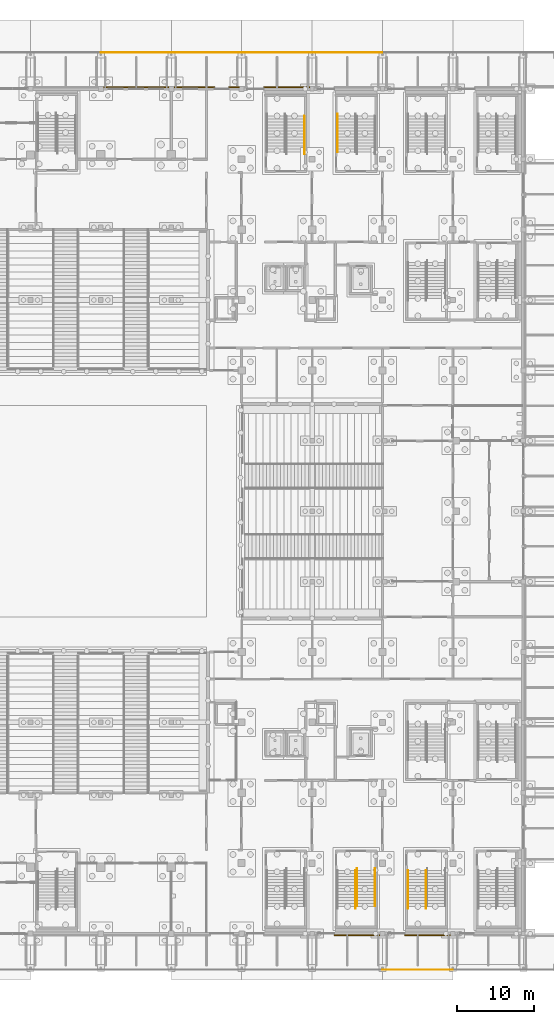
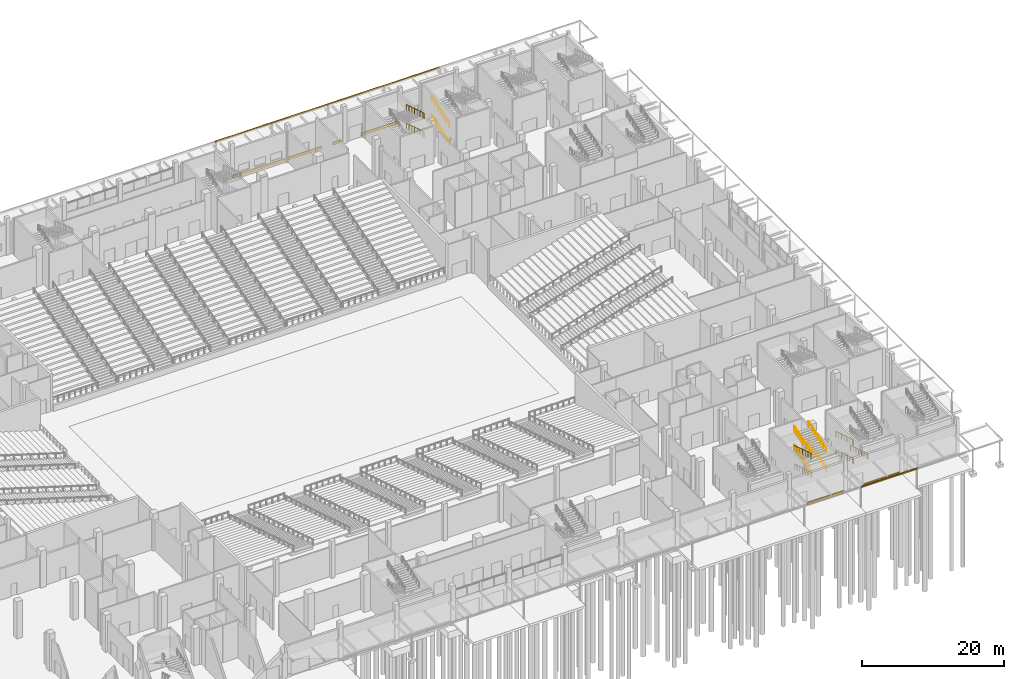
# One storey, part 116 of 129: 13 railings, 11 coverings.
"""IFC4 building model written with IfcOpenShell, lengths in metres."""

from ifc_helpers import new_model, si_unit, direction, frame, origin, origin_2d, place, context, subcontext, project, spatial, rectangle, circle, extrude, material, layer, layer_set, type_object, element, save


model = new_model("IFC4")

# Units and contexts
model_context = context("Model", 3, precision=1e-05, world=origin(), true_north=direction((0.0, 1.0)))
body_context = subcontext(model_context, "Body", "Model", "MODEL_VIEW")
ifc_project = project(units=[si_unit("LENGTHUNIT", "METRE"), si_unit("AREAUNIT", "SQUARE_METRE"), si_unit("VOLUMEUNIT", "CUBIC_METRE"), si_unit("PLANEANGLEUNIT", "RADIAN"), si_unit("MASSUNIT", "GRAM", prefix="KILO")], contexts=[model_context])

# Site, building, storey
site_placement = place(None, origin())
site = spatial("IfcSite", under=ifc_project, at=site_placement, CompositionType="ELEMENT")
building_placement = place(site_placement, origin())
building = spatial("IfcBuilding", under=site, at=building_placement, Name="Shirokan Park Arena", CompositionType="ELEMENT")
storey_placement = place(building_placement, origin())
storey = spatial("IfcBuildingStorey", under=building, at=storey_placement, Name="L00", CompositionType="ELEMENT", Elevation=0.0)

# Coverings
ifc_material_1 = material(Name="Timber fascia (cedar)", Category="wood")
ifc_layer_1 = layer(ifc_material_1, 0.050048828125)
ifc_layer_set_1 = layer_set([ifc_layer_1], Name="Timber fascia (cedar) 50 mm")
covering_type_1 = type_object("IfcCoveringType", Name="Canopy fascia 50x250", PredefinedType="CLADDING", material=ifc_layer_set_1)
for number, where, z_axis, x_axis, name in (
    (1, (122.85009765625, 113.875, 3.5), (0.0, 0.0, 1.0), (-1.0, 0.0, 0.0), "Canopy fascia north bay 3"),
    (2, (113.75, 113.875, 3.5), (0.0, 0.0, 1.0), (-1.0, 0.0, 0.0), "Canopy fascia north bay 4"),
    (3, (104.64990234375, 113.875, 3.5), (0.0, 0.0, 1.0), (-1.0, 0.0, 0.0), "Canopy fascia north bay 5"),
    (4, (95.550048828125, 113.875, 3.5), (0.0, 0.0, 1.0), (-1.0, 0.0, 0.0), "Canopy fascia north bay 6"),
    (5, (131.949951171875, -4.675048828125, 3.5), (0.0, 0.0, 1.0), (1.0, 0.0, 0.0), "Canopy fascia south bay 15"),
):
    element("IfcCovering", number, at=place(storey_placement, frame(where, z_axis=z_axis, x_axis=x_axis)), inside=storey, type_object=covering_type_1, Name=name, PredefinedType="CLADDING", context=body_context, shape_type="SweptSolid", body=[
        extrude(rectangle(XDim=9.10009765625, YDim=0.050048828125, at=origin_2d()), origin(), (0.0, 0.0, 1.0), 0.25),
    ])

# Railings
ifc_material_2 = material(Name="Stainless steel", Category="steel")
railing_type = type_object("IfcRailingType", Name="Stair handrail 900", PredefinedType="HANDRAIL", material=ifc_material_2)
railing_1_placement = place(storey_placement, frame((130.68994140625, 8.14990234375, 0.12255859375)))
element("IfcRailing", 6, at=railing_1_placement, inside=storey, type_object=railing_type, Name="Handrail Exit Stair 2.B L00 to L01", PredefinedType="HANDRAIL", context=body_context, shape_type="SweptSolid", body=[
    extrude(circle(Radius=0.02392578125, at=origin_2d()), frame((0.0, 0.0, 0.8759765625), z_axis=(0.0, -0.952915858112, 0.303234838629), x_axis=(1.0, 0.0, 0.0)), (0.0, 0.0, 1.0), 1.615966796875),
    extrude(circle(Radius=0.02392578125, at=origin_2d()), frame((0.0, -1.539794921875, 1.36572265625), z_axis=(0.0, -0.952929747917, 0.303191186441), x_axis=(1.0, 0.0, 0.0)), (0.0, 0.0, 1.0), 1.6162109375),
    extrude(circle(Radius=0.02392578125, at=origin_2d()), frame((0.0, -3.079833984375, 1.85595703125), z_axis=(0.0, -0.952929747917, 0.303191186441), x_axis=(1.0, 0.0, 0.0)), (0.0, 0.0, 1.0), 1.6162109375),
    extrude(circle(Radius=0.02392578125, at=origin_2d()), frame((0.0, -4.619873046875, 2.345703125), z_axis=(0.0, -1.0, 0.0), x_axis=(1.0, 0.0, 0.0)), (0.0, 0.0, 1.0), 0.300048828125),
    extrude(circle(Radius=0.02099609375, at=origin_2d()), origin(), (0.0, 0.0, 1.0), 0.851806640625),
    extrude(circle(Radius=0.02099609375, at=origin_2d()), frame((0.0, -0.77001953125, 0.2451171875)), (0.0, 0.0, 1.0), 0.851806640625),
    extrude(circle(Radius=0.02099609375, at=origin_2d()), frame((0.0, -1.539794921875, 0.489990234375)), (0.0, 0.0, 1.0), 0.851806640625),
    extrude(circle(Radius=0.02099609375, at=origin_2d()), frame((0.0, -2.309814453125, 0.73486328125)), (0.0, 0.0, 1.0), 0.851806640625),
    extrude(circle(Radius=0.02099609375, at=origin_2d()), frame((0.0, -3.079833984375, 0.97998046875)), (0.0, 0.0, 1.0), 0.851806640625),
    extrude(circle(Radius=0.02099609375, at=origin_2d()), frame((0.0, -3.849853515625, 1.22509765625)), (0.0, 0.0, 1.0), 0.851806640625),
    extrude(circle(Radius=0.02099609375, at=origin_2d()), frame((0.0, -4.619873046875, 1.469970703125)), (0.0, 0.0, 1.0), 0.851806640625),
    extrude(circle(Radius=0.02099609375, at=origin_2d()), frame((0.0, -4.919921875, 1.469970703125)), (0.0, 0.0, 1.0), 0.851806640625),
])
railing_2_placement = place(storey_placement, frame((133.010009765625, 8.14990234375, 0.12255859375)))
element("IfcRailing", 7, at=railing_2_placement, inside=storey, type_object=railing_type, Name="Handrail Exit Stair 2.B L00 to L01", PredefinedType="HANDRAIL", context=body_context, shape_type="SweptSolid", body=[
    extrude(circle(Radius=0.02392578125, at=origin_2d()), frame((0.0, 0.0, 0.8759765625), z_axis=(0.0, -0.952915858112, 0.303234838629), x_axis=(1.0, 0.0, 0.0)), (0.0, 0.0, 1.0), 1.615966796875),
    extrude(circle(Radius=0.02392578125, at=origin_2d()), frame((0.0, -1.539794921875, 1.36572265625), z_axis=(0.0, -0.952929747917, 0.303191186441), x_axis=(1.0, 0.0, 0.0)), (0.0, 0.0, 1.0), 1.6162109375),
    extrude(circle(Radius=0.02392578125, at=origin_2d()), frame((0.0, -3.079833984375, 1.85595703125), z_axis=(0.0, -0.952929747917, 0.303191186441), x_axis=(1.0, 0.0, 0.0)), (0.0, 0.0, 1.0), 1.6162109375),
    extrude(circle(Radius=0.02392578125, at=origin_2d()), frame((0.0, -4.619873046875, 2.345703125), z_axis=(0.0, -1.0, 0.0), x_axis=(1.0, 0.0, 0.0)), (0.0, 0.0, 1.0), 0.300048828125),
    extrude(circle(Radius=0.02099609375, at=origin_2d()), origin(), (0.0, 0.0, 1.0), 0.851806640625),
    extrude(circle(Radius=0.02099609375, at=origin_2d()), frame((0.0, -0.77001953125, 0.2451171875)), (0.0, 0.0, 1.0), 0.851806640625),
    extrude(circle(Radius=0.02099609375, at=origin_2d()), frame((0.0, -1.539794921875, 0.489990234375)), (0.0, 0.0, 1.0), 0.851806640625),
    extrude(circle(Radius=0.02099609375, at=origin_2d()), frame((0.0, -2.309814453125, 0.73486328125)), (0.0, 0.0, 1.0), 0.851806640625),
    extrude(circle(Radius=0.02099609375, at=origin_2d()), frame((0.0, -3.079833984375, 0.97998046875)), (0.0, 0.0, 1.0), 0.851806640625),
    extrude(circle(Radius=0.02099609375, at=origin_2d()), frame((0.0, -3.849853515625, 1.22509765625)), (0.0, 0.0, 1.0), 0.851806640625),
    extrude(circle(Radius=0.02099609375, at=origin_2d()), frame((0.0, -4.619873046875, 1.469970703125)), (0.0, 0.0, 1.0), 0.851806640625),
    extrude(circle(Radius=0.02099609375, at=origin_2d()), frame((0.0, -4.919921875, 1.469970703125)), (0.0, 0.0, 1.0), 0.851806640625),
])
railing_3_placement = place(storey_placement, frame((130.68994140625, 8.14990234375, 3.3076171875)))
element("IfcRailing", 8, at=railing_3_placement, inside=storey, type_object=railing_type, Name="Handrail Exit Stair 2.B L00 to L01", PredefinedType="HANDRAIL", context=body_context, shape_type="SweptSolid", body=[
    extrude(circle(Radius=0.02392578125, at=origin_2d()), frame((0.0, 0.0, 0.8759765625), z_axis=(0.0, -0.952915858112, 0.303234838629), x_axis=(1.0, 0.0, 0.0)), (0.0, 0.0, 1.0), 1.615966796875),
    extrude(circle(Radius=0.02392578125, at=origin_2d()), frame((0.0, -1.539794921875, 1.36572265625), z_axis=(0.0, -0.952929747917, 0.303191186441), x_axis=(1.0, 0.0, 0.0)), (0.0, 0.0, 1.0), 1.6162109375),
    extrude(circle(Radius=0.02392578125, at=origin_2d()), frame((0.0, -3.079833984375, 1.85595703125), z_axis=(0.0, -0.952929747917, 0.303191186441), x_axis=(1.0, 0.0, 0.0)), (0.0, 0.0, 1.0), 1.6162109375),
    extrude(circle(Radius=0.02392578125, at=origin_2d()), frame((0.0, -4.619873046875, 2.345703125), z_axis=(0.0, -1.0, 0.0), x_axis=(1.0, 0.0, 0.0)), (0.0, 0.0, 1.0), 0.300048828125),
    extrude(circle(Radius=0.02099609375, at=origin_2d()), origin(), (0.0, 0.0, 1.0), 0.851806640625),
    extrude(circle(Radius=0.02099609375, at=origin_2d()), frame((0.0, -0.77001953125, 0.2451171875)), (0.0, 0.0, 1.0), 0.851806640625),
    extrude(circle(Radius=0.02099609375, at=origin_2d()), frame((0.0, -1.539794921875, 0.489990234375)), (0.0, 0.0, 1.0), 0.851806640625),
    extrude(circle(Radius=0.02099609375, at=origin_2d()), frame((0.0, -2.309814453125, 0.73486328125)), (0.0, 0.0, 1.0), 0.851806640625),
    extrude(circle(Radius=0.02099609375, at=origin_2d()), frame((0.0, -3.079833984375, 0.97998046875)), (0.0, 0.0, 1.0), 0.851806640625),
    extrude(circle(Radius=0.02099609375, at=origin_2d()), frame((0.0, -3.849853515625, 1.22509765625)), (0.0, 0.0, 1.0), 0.851806640625),
    extrude(circle(Radius=0.02099609375, at=origin_2d()), frame((0.0, -4.619873046875, 1.469970703125)), (0.0, 0.0, 1.0), 0.851806640625),
    extrude(circle(Radius=0.02099609375, at=origin_2d()), frame((0.0, -4.919921875, 1.469970703125)), (0.0, 0.0, 1.0), 0.851806640625),
])
railing_4_placement = place(storey_placement, frame((123.909912109375, 8.14990234375, 0.12255859375)))
element("IfcRailing", 9, at=railing_4_placement, inside=storey, type_object=railing_type, Name="Handrail Exit Stair 2.C L00 to L01", PredefinedType="HANDRAIL", context=body_context, shape_type="SweptSolid", body=[
    extrude(circle(Radius=0.02392578125, at=origin_2d()), frame((0.0, 0.0, 0.8759765625), z_axis=(0.0, -0.952915858112, 0.303234838629), x_axis=(1.0, 0.0, 0.0)), (0.0, 0.0, 1.0), 1.615966796875),
    extrude(circle(Radius=0.02392578125, at=origin_2d()), frame((0.0, -1.539794921875, 1.36572265625), z_axis=(0.0, -0.952929747917, 0.303191186441), x_axis=(1.0, 0.0, 0.0)), (0.0, 0.0, 1.0), 1.6162109375),
    extrude(circle(Radius=0.02392578125, at=origin_2d()), frame((0.0, -3.079833984375, 1.85595703125), z_axis=(0.0, -0.952929747917, 0.303191186441), x_axis=(1.0, 0.0, 0.0)), (0.0, 0.0, 1.0), 1.6162109375),
    extrude(circle(Radius=0.02392578125, at=origin_2d()), frame((0.0, -4.619873046875, 2.345703125), z_axis=(0.0, -1.0, 0.0), x_axis=(1.0, 0.0, 0.0)), (0.0, 0.0, 1.0), 0.300048828125),
    extrude(circle(Radius=0.02099609375, at=origin_2d()), origin(), (0.0, 0.0, 1.0), 0.851806640625),
    extrude(circle(Radius=0.02099609375, at=origin_2d()), frame((0.0, -0.77001953125, 0.2451171875)), (0.0, 0.0, 1.0), 0.851806640625),
    extrude(circle(Radius=0.02099609375, at=origin_2d()), frame((0.0, -1.539794921875, 0.489990234375)), (0.0, 0.0, 1.0), 0.851806640625),
    extrude(circle(Radius=0.02099609375, at=origin_2d()), frame((0.0, -2.309814453125, 0.73486328125)), (0.0, 0.0, 1.0), 0.851806640625),
    extrude(circle(Radius=0.02099609375, at=origin_2d()), frame((0.0, -3.079833984375, 0.97998046875)), (0.0, 0.0, 1.0), 0.851806640625),
    extrude(circle(Radius=0.02099609375, at=origin_2d()), frame((0.0, -3.849853515625, 1.22509765625)), (0.0, 0.0, 1.0), 0.851806640625),
    extrude(circle(Radius=0.02099609375, at=origin_2d()), frame((0.0, -4.619873046875, 1.469970703125)), (0.0, 0.0, 1.0), 0.851806640625),
    extrude(circle(Radius=0.02099609375, at=origin_2d()), frame((0.0, -4.919921875, 1.469970703125)), (0.0, 0.0, 1.0), 0.851806640625),
])
railing_5_placement = place(storey_placement, frame((124.090087890625, 3.530029296875, 1.715087890625)))
element("IfcRailing", 10, at=railing_5_placement, inside=storey, type_object=railing_type, Name="Handrail Exit Stair 2.C L00 to L01", PredefinedType="HANDRAIL", context=body_context, shape_type="SweptSolid", body=[
    extrude(circle(Radius=0.02392578125, at=origin_2d()), frame((0.0, 0.0, 0.8759765625), z_axis=(0.0, 0.952929747917, 0.303191186441), x_axis=(-1.0, 0.0, 0.0)), (0.0, 0.0, 1.0), 1.6162109375),
    extrude(circle(Radius=0.02392578125, at=origin_2d()), frame((0.0, 1.5400390625, 1.36572265625), z_axis=(0.0, 0.952929747917, 0.303191186441), x_axis=(-1.0, 0.0, 0.0)), (0.0, 0.0, 1.0), 1.6162109375),
    extrude(circle(Radius=0.02392578125, at=origin_2d()), frame((0.0, 3.080078125, 1.85595703125), z_axis=(0.0, 0.952915858112, 0.303234838629), x_axis=(-1.0, 0.0, 0.0)), (0.0, 0.0, 1.0), 1.615966796875),
    extrude(circle(Radius=0.02392578125, at=origin_2d()), frame((0.0, 4.619873046875, 2.345703125), z_axis=(0.0, 1.0, 0.0), x_axis=(-1.0, 0.0, 0.0)), (0.0, 0.0, 1.0), 0.300048828125),
    extrude(circle(Radius=0.02099609375, at=origin_2d()), origin(), (0.0, 0.0, 1.0), 0.851806640625),
    extrude(circle(Radius=0.02099609375, at=origin_2d()), frame((0.0, 0.77001953125, 0.2451171875)), (0.0, 0.0, 1.0), 0.851806640625),
    extrude(circle(Radius=0.02099609375, at=origin_2d()), frame((0.0, 1.5400390625, 0.489990234375)), (0.0, 0.0, 1.0), 0.851806640625),
    extrude(circle(Radius=0.02099609375, at=origin_2d()), frame((0.0, 2.31005859375, 0.73486328125)), (0.0, 0.0, 1.0), 0.851806640625),
    extrude(circle(Radius=0.02099609375, at=origin_2d()), frame((0.0, 3.080078125, 0.97998046875)), (0.0, 0.0, 1.0), 0.851806640625),
    extrude(circle(Radius=0.02099609375, at=origin_2d()), frame((0.0, 3.85009765625, 1.22509765625)), (0.0, 0.0, 1.0), 0.851806640625),
    extrude(circle(Radius=0.02099609375, at=origin_2d()), frame((0.0, 4.619873046875, 1.469970703125)), (0.0, 0.0, 1.0), 0.851806640625),
    extrude(circle(Radius=0.02099609375, at=origin_2d()), frame((0.0, 4.919921875, 1.469970703125)), (0.0, 0.0, 1.0), 0.851806640625),
])
railing_6_placement = place(storey_placement, frame((126.409912109375, 3.530029296875, 1.715087890625)))
element("IfcRailing", 11, at=railing_6_placement, inside=storey, type_object=railing_type, Name="Handrail Exit Stair 2.C L00 to L01", PredefinedType="HANDRAIL", context=body_context, shape_type="SweptSolid", body=[
    extrude(circle(Radius=0.02392578125, at=origin_2d()), frame((0.0, 0.0, 0.8759765625), z_axis=(0.0, 0.952929747917, 0.303191186441), x_axis=(-1.0, 0.0, 0.0)), (0.0, 0.0, 1.0), 1.6162109375),
    extrude(circle(Radius=0.02392578125, at=origin_2d()), frame((0.0, 1.5400390625, 1.36572265625), z_axis=(0.0, 0.952929747917, 0.303191186441), x_axis=(-1.0, 0.0, 0.0)), (0.0, 0.0, 1.0), 1.6162109375),
    extrude(circle(Radius=0.02392578125, at=origin_2d()), frame((0.0, 3.080078125, 1.85595703125), z_axis=(0.0, 0.952915858112, 0.303234838629), x_axis=(-1.0, 0.0, 0.0)), (0.0, 0.0, 1.0), 1.615966796875),
    extrude(circle(Radius=0.02392578125, at=origin_2d()), frame((0.0, 4.619873046875, 2.345703125), z_axis=(0.0, 1.0, 0.0), x_axis=(-1.0, 0.0, 0.0)), (0.0, 0.0, 1.0), 0.300048828125),
    extrude(circle(Radius=0.02099609375, at=origin_2d()), origin(), (0.0, 0.0, 1.0), 0.851806640625),
    extrude(circle(Radius=0.02099609375, at=origin_2d()), frame((0.0, 0.77001953125, 0.2451171875)), (0.0, 0.0, 1.0), 0.851806640625),
    extrude(circle(Radius=0.02099609375, at=origin_2d()), frame((0.0, 1.5400390625, 0.489990234375)), (0.0, 0.0, 1.0), 0.851806640625),
    extrude(circle(Radius=0.02099609375, at=origin_2d()), frame((0.0, 2.31005859375, 0.73486328125)), (0.0, 0.0, 1.0), 0.851806640625),
    extrude(circle(Radius=0.02099609375, at=origin_2d()), frame((0.0, 3.080078125, 0.97998046875)), (0.0, 0.0, 1.0), 0.851806640625),
    extrude(circle(Radius=0.02099609375, at=origin_2d()), frame((0.0, 3.85009765625, 1.22509765625)), (0.0, 0.0, 1.0), 0.851806640625),
    extrude(circle(Radius=0.02099609375, at=origin_2d()), frame((0.0, 4.619873046875, 1.469970703125)), (0.0, 0.0, 1.0), 0.851806640625),
    extrude(circle(Radius=0.02099609375, at=origin_2d()), frame((0.0, 4.919921875, 1.469970703125)), (0.0, 0.0, 1.0), 0.851806640625),
])
railing_7_placement = place(storey_placement, frame((123.909912109375, 8.14990234375, 3.3076171875)))
element("IfcRailing", 12, at=railing_7_placement, inside=storey, type_object=railing_type, Name="Handrail Exit Stair 2.C L00 to L01", PredefinedType="HANDRAIL", context=body_context, shape_type="SweptSolid", body=[
    extrude(circle(Radius=0.02392578125, at=origin_2d()), frame((0.0, 0.0, 0.8759765625), z_axis=(0.0, -0.952915858112, 0.303234838629), x_axis=(1.0, 0.0, 0.0)), (0.0, 0.0, 1.0), 1.615966796875),
    extrude(circle(Radius=0.02392578125, at=origin_2d()), frame((0.0, -1.539794921875, 1.36572265625), z_axis=(0.0, -0.952929747917, 0.303191186441), x_axis=(1.0, 0.0, 0.0)), (0.0, 0.0, 1.0), 1.6162109375),
    extrude(circle(Radius=0.02392578125, at=origin_2d()), frame((0.0, -3.079833984375, 1.85595703125), z_axis=(0.0, -0.952929747917, 0.303191186441), x_axis=(1.0, 0.0, 0.0)), (0.0, 0.0, 1.0), 1.6162109375),
    extrude(circle(Radius=0.02392578125, at=origin_2d()), frame((0.0, -4.619873046875, 2.345703125), z_axis=(0.0, -1.0, 0.0), x_axis=(1.0, 0.0, 0.0)), (0.0, 0.0, 1.0), 0.300048828125),
    extrude(circle(Radius=0.02099609375, at=origin_2d()), origin(), (0.0, 0.0, 1.0), 0.851806640625),
    extrude(circle(Radius=0.02099609375, at=origin_2d()), frame((0.0, -0.77001953125, 0.2451171875)), (0.0, 0.0, 1.0), 0.851806640625),
    extrude(circle(Radius=0.02099609375, at=origin_2d()), frame((0.0, -1.539794921875, 0.489990234375)), (0.0, 0.0, 1.0), 0.851806640625),
    extrude(circle(Radius=0.02099609375, at=origin_2d()), frame((0.0, -2.309814453125, 0.73486328125)), (0.0, 0.0, 1.0), 0.851806640625),
    extrude(circle(Radius=0.02099609375, at=origin_2d()), frame((0.0, -3.079833984375, 0.97998046875)), (0.0, 0.0, 1.0), 0.851806640625),
    extrude(circle(Radius=0.02099609375, at=origin_2d()), frame((0.0, -3.849853515625, 1.22509765625)), (0.0, 0.0, 1.0), 0.851806640625),
    extrude(circle(Radius=0.02099609375, at=origin_2d()), frame((0.0, -4.619873046875, 1.469970703125)), (0.0, 0.0, 1.0), 0.851806640625),
    extrude(circle(Radius=0.02099609375, at=origin_2d()), frame((0.0, -4.919921875, 1.469970703125)), (0.0, 0.0, 1.0), 0.851806640625),
])
railing_8_placement = place(storey_placement, frame((124.090087890625, 3.530029296875, 4.89990234375)))
element("IfcRailing", 13, at=railing_8_placement, inside=storey, type_object=railing_type, Name="Handrail Exit Stair 2.C L00 to L01", PredefinedType="HANDRAIL", context=body_context, shape_type="SweptSolid", body=[
    extrude(circle(Radius=0.02392578125, at=origin_2d()), frame((0.0, 0.0, 0.8759765625), z_axis=(0.0, 0.952929747917, 0.303191186441), x_axis=(-1.0, 0.0, 0.0)), (0.0, 0.0, 1.0), 1.6162109375),
    extrude(circle(Radius=0.02392578125, at=origin_2d()), frame((0.0, 1.5400390625, 1.36572265625), z_axis=(0.0, 0.952929747917, 0.303191186441), x_axis=(-1.0, 0.0, 0.0)), (0.0, 0.0, 1.0), 1.6162109375),
    extrude(circle(Radius=0.02392578125, at=origin_2d()), frame((0.0, 3.080078125, 1.85595703125), z_axis=(0.0, 0.952872192083, 0.303372025004), x_axis=(-1.0, 0.0, 0.0)), (0.0, 0.0, 1.0), 1.615966796875),
    extrude(circle(Radius=0.02392578125, at=origin_2d()), frame((0.0, 4.619873046875, 2.34619140625), z_axis=(0.0, 1.0, 0.0), x_axis=(-1.0, 0.0, 0.0)), (0.0, 0.0, 1.0), 0.300048828125),
    extrude(circle(Radius=0.02099609375, at=origin_2d()), origin(), (0.0, 0.0, 1.0), 0.851806640625),
    extrude(circle(Radius=0.02099609375, at=origin_2d()), frame((0.0, 0.77001953125, 0.2451171875)), (0.0, 0.0, 1.0), 0.851806640625),
    extrude(circle(Radius=0.02099609375, at=origin_2d()), frame((0.0, 1.5400390625, 0.489990234375)), (0.0, 0.0, 1.0), 0.851806640625),
    extrude(circle(Radius=0.02099609375, at=origin_2d()), frame((0.0, 2.31005859375, 0.73486328125)), (0.0, 0.0, 1.0), 0.851806640625),
    extrude(circle(Radius=0.02099609375, at=origin_2d()), frame((0.0, 3.080078125, 0.97998046875)), (0.0, 0.0, 1.0), 0.851806640625),
    extrude(circle(Radius=0.02099609375, at=origin_2d()), frame((0.0, 3.85009765625, 1.22509765625)), (0.0, 0.0, 1.0), 0.851806640625),
    extrude(circle(Radius=0.02099609375, at=origin_2d()), frame((0.0, 4.619873046875, 1.47021484375)), (0.0, 0.0, 1.0), 0.851806640625),
    extrude(circle(Radius=0.02099609375, at=origin_2d()), frame((0.0, 4.919921875, 1.47021484375)), (0.0, 0.0, 1.0), 0.851806640625),
])
railing_9_placement = place(storey_placement, frame((126.409912109375, 3.530029296875, 4.89990234375)))
element("IfcRailing", 14, at=railing_9_placement, inside=storey, type_object=railing_type, Name="Handrail Exit Stair 2.C L00 to L01", PredefinedType="HANDRAIL", context=body_context, shape_type="SweptSolid", body=[
    extrude(circle(Radius=0.02392578125, at=origin_2d()), frame((0.0, 0.0, 0.8759765625), z_axis=(0.0, 0.952929747917, 0.303191186441), x_axis=(-1.0, 0.0, 0.0)), (0.0, 0.0, 1.0), 1.6162109375),
    extrude(circle(Radius=0.02392578125, at=origin_2d()), frame((0.0, 1.5400390625, 1.36572265625), z_axis=(0.0, 0.952929747917, 0.303191186441), x_axis=(-1.0, 0.0, 0.0)), (0.0, 0.0, 1.0), 1.6162109375),
    extrude(circle(Radius=0.02392578125, at=origin_2d()), frame((0.0, 3.080078125, 1.85595703125), z_axis=(0.0, 0.952872192083, 0.303372025004), x_axis=(-1.0, 0.0, 0.0)), (0.0, 0.0, 1.0), 1.615966796875),
    extrude(circle(Radius=0.02392578125, at=origin_2d()), frame((0.0, 4.619873046875, 2.34619140625), z_axis=(0.0, 1.0, 0.0), x_axis=(-1.0, 0.0, 0.0)), (0.0, 0.0, 1.0), 0.300048828125),
    extrude(circle(Radius=0.02099609375, at=origin_2d()), origin(), (0.0, 0.0, 1.0), 0.851806640625),
    extrude(circle(Radius=0.02099609375, at=origin_2d()), frame((0.0, 0.77001953125, 0.2451171875)), (0.0, 0.0, 1.0), 0.851806640625),
    extrude(circle(Radius=0.02099609375, at=origin_2d()), frame((0.0, 1.5400390625, 0.489990234375)), (0.0, 0.0, 1.0), 0.851806640625),
    extrude(circle(Radius=0.02099609375, at=origin_2d()), frame((0.0, 2.31005859375, 0.73486328125)), (0.0, 0.0, 1.0), 0.851806640625),
    extrude(circle(Radius=0.02099609375, at=origin_2d()), frame((0.0, 3.080078125, 0.97998046875)), (0.0, 0.0, 1.0), 0.851806640625),
    extrude(circle(Radius=0.02099609375, at=origin_2d()), frame((0.0, 3.85009765625, 1.22509765625)), (0.0, 0.0, 1.0), 0.851806640625),
    extrude(circle(Radius=0.02099609375, at=origin_2d()), frame((0.0, 4.619873046875, 1.47021484375)), (0.0, 0.0, 1.0), 0.851806640625),
    extrude(circle(Radius=0.02099609375, at=origin_2d()), frame((0.0, 4.919921875, 1.47021484375)), (0.0, 0.0, 1.0), 0.851806640625),
])
railing_10_placement = place(storey_placement, frame((121.590087890625, 101.050048828125, 0.12255859375)))
element("IfcRailing", 15, at=railing_10_placement, inside=storey, type_object=railing_type, Name="Handrail Exit Stair 3.C L00 to L01", PredefinedType="HANDRAIL", context=body_context, shape_type="SweptSolid", body=[
    extrude(circle(Radius=0.02392578125, at=origin_2d()), frame((0.0, 0.0, 0.8759765625), z_axis=(0.0, 0.952929747917, 0.303191186441), x_axis=(-1.0, 0.0, 0.0)), (0.0, 0.0, 1.0), 1.6162109375),
    extrude(circle(Radius=0.02392578125, at=origin_2d()), frame((0.0, 1.5400390625, 1.36572265625), z_axis=(0.0, 0.952915858112, 0.303234838629), x_axis=(-1.0, 0.0, 0.0)), (0.0, 0.0, 1.0), 1.615966796875),
    extrude(circle(Radius=0.02392578125, at=origin_2d()), frame((0.0, 3.079833984375, 1.85595703125), z_axis=(0.0, 0.952929747917, 0.303191186441), x_axis=(-1.0, 0.0, 0.0)), (0.0, 0.0, 1.0), 1.6162109375),
    extrude(circle(Radius=0.02392578125, at=origin_2d()), frame((0.0, 4.619873046875, 2.345703125), z_axis=(0.0, 1.0, 0.0), x_axis=(-1.0, 0.0, 0.0)), (0.0, 0.0, 1.0), 0.300048828125),
    extrude(circle(Radius=0.02099609375, at=origin_2d()), origin(), (0.0, 0.0, 1.0), 0.851806640625),
    extrude(circle(Radius=0.02099609375, at=origin_2d()), frame((0.0, 0.77001953125, 0.2451171875)), (0.0, 0.0, 1.0), 0.851806640625),
    extrude(circle(Radius=0.02099609375, at=origin_2d()), frame((0.0, 1.5400390625, 0.489990234375)), (0.0, 0.0, 1.0), 0.851806640625),
    extrude(circle(Radius=0.02099609375, at=origin_2d()), frame((0.0, 2.31005859375, 0.73486328125)), (0.0, 0.0, 1.0), 0.851806640625),
    extrude(circle(Radius=0.02099609375, at=origin_2d()), frame((0.0, 3.079833984375, 0.97998046875)), (0.0, 0.0, 1.0), 0.851806640625),
    extrude(circle(Radius=0.02099609375, at=origin_2d()), frame((0.0, 3.849853515625, 1.22509765625)), (0.0, 0.0, 1.0), 0.851806640625),
    extrude(circle(Radius=0.02099609375, at=origin_2d()), frame((0.0, 4.619873046875, 1.469970703125)), (0.0, 0.0, 1.0), 0.851806640625),
    extrude(circle(Radius=0.02099609375, at=origin_2d()), frame((0.0, 4.919921875, 1.469970703125)), (0.0, 0.0, 1.0), 0.851806640625),
])
railing_11_placement = place(storey_placement, frame((121.590087890625, 101.050048828125, 3.3076171875)))
element("IfcRailing", 16, at=railing_11_placement, inside=storey, type_object=railing_type, Name="Handrail Exit Stair 3.C L00 to L01", PredefinedType="HANDRAIL", context=body_context, shape_type="SweptSolid", body=[
    extrude(circle(Radius=0.02392578125, at=origin_2d()), frame((0.0, 0.0, 0.8759765625), z_axis=(0.0, 0.952929747917, 0.303191186441), x_axis=(-1.0, 0.0, 0.0)), (0.0, 0.0, 1.0), 1.6162109375),
    extrude(circle(Radius=0.02392578125, at=origin_2d()), frame((0.0, 1.5400390625, 1.36572265625), z_axis=(0.0, 0.952915858112, 0.303234838629), x_axis=(-1.0, 0.0, 0.0)), (0.0, 0.0, 1.0), 1.615966796875),
    extrude(circle(Radius=0.02392578125, at=origin_2d()), frame((0.0, 3.079833984375, 1.85595703125), z_axis=(0.0, 0.952929747917, 0.303191186441), x_axis=(-1.0, 0.0, 0.0)), (0.0, 0.0, 1.0), 1.6162109375),
    extrude(circle(Radius=0.02392578125, at=origin_2d()), frame((0.0, 4.619873046875, 2.345703125), z_axis=(0.0, 1.0, 0.0), x_axis=(-1.0, 0.0, 0.0)), (0.0, 0.0, 1.0), 0.300048828125),
    extrude(circle(Radius=0.02099609375, at=origin_2d()), origin(), (0.0, 0.0, 1.0), 0.851806640625),
    extrude(circle(Radius=0.02099609375, at=origin_2d()), frame((0.0, 0.77001953125, 0.2451171875)), (0.0, 0.0, 1.0), 0.851806640625),
    extrude(circle(Radius=0.02099609375, at=origin_2d()), frame((0.0, 1.5400390625, 0.489990234375)), (0.0, 0.0, 1.0), 0.851806640625),
    extrude(circle(Radius=0.02099609375, at=origin_2d()), frame((0.0, 2.31005859375, 0.73486328125)), (0.0, 0.0, 1.0), 0.851806640625),
    extrude(circle(Radius=0.02099609375, at=origin_2d()), frame((0.0, 3.079833984375, 0.97998046875)), (0.0, 0.0, 1.0), 0.851806640625),
    extrude(circle(Radius=0.02099609375, at=origin_2d()), frame((0.0, 3.849853515625, 1.22509765625)), (0.0, 0.0, 1.0), 0.851806640625),
    extrude(circle(Radius=0.02099609375, at=origin_2d()), frame((0.0, 4.619873046875, 1.469970703125)), (0.0, 0.0, 1.0), 0.851806640625),
    extrude(circle(Radius=0.02099609375, at=origin_2d()), frame((0.0, 4.919921875, 1.469970703125)), (0.0, 0.0, 1.0), 0.851806640625),
])
railing_12_placement = place(storey_placement, frame((117.31005859375, 105.669921875, 1.715087890625)))
element("IfcRailing", 17, at=railing_12_placement, inside=storey, type_object=railing_type, Name="Handrail Exit Stair 3.D L00 to L01", PredefinedType="HANDRAIL", context=body_context, shape_type="SweptSolid", body=[
    extrude(circle(Radius=0.02392578125, at=origin_2d()), frame((0.0, 0.0, 0.8759765625), z_axis=(0.0, -0.952929747917, 0.303191186441), x_axis=(1.0, 0.0, 0.0)), (0.0, 0.0, 1.0), 1.6162109375),
    extrude(circle(Radius=0.02392578125, at=origin_2d()), frame((0.0, -1.5400390625, 1.36572265625), z_axis=(0.0, -0.952915858112, 0.303234838629), x_axis=(1.0, 0.0, 0.0)), (0.0, 0.0, 1.0), 1.615966796875),
    extrude(circle(Radius=0.02392578125, at=origin_2d()), frame((0.0, -3.079833984375, 1.85595703125), z_axis=(0.0, -0.952929747917, 0.303191186441), x_axis=(1.0, 0.0, 0.0)), (0.0, 0.0, 1.0), 1.6162109375),
    extrude(circle(Radius=0.02392578125, at=origin_2d()), frame((0.0, -4.619873046875, 2.345703125), z_axis=(0.0, -1.0, 0.0), x_axis=(1.0, 0.0, 0.0)), (0.0, 0.0, 1.0), 0.300048828125),
    extrude(circle(Radius=0.02099609375, at=origin_2d()), origin(), (0.0, 0.0, 1.0), 0.851806640625),
    extrude(circle(Radius=0.02099609375, at=origin_2d()), frame((0.0, -0.77001953125, 0.2451171875)), (0.0, 0.0, 1.0), 0.851806640625),
    extrude(circle(Radius=0.02099609375, at=origin_2d()), frame((0.0, -1.5400390625, 0.489990234375)), (0.0, 0.0, 1.0), 0.851806640625),
    extrude(circle(Radius=0.02099609375, at=origin_2d()), frame((0.0, -2.31005859375, 0.73486328125)), (0.0, 0.0, 1.0), 0.851806640625),
    extrude(circle(Radius=0.02099609375, at=origin_2d()), frame((0.0, -3.079833984375, 0.97998046875)), (0.0, 0.0, 1.0), 0.851806640625),
    extrude(circle(Radius=0.02099609375, at=origin_2d()), frame((0.0, -3.849853515625, 1.22509765625)), (0.0, 0.0, 1.0), 0.851806640625),
    extrude(circle(Radius=0.02099609375, at=origin_2d()), frame((0.0, -4.619873046875, 1.469970703125)), (0.0, 0.0, 1.0), 0.851806640625),
    extrude(circle(Radius=0.02099609375, at=origin_2d()), frame((0.0, -4.919921875, 1.469970703125)), (0.0, 0.0, 1.0), 0.851806640625),
])
railing_13_placement = place(storey_placement, frame((117.31005859375, 105.669921875, 4.89990234375)))
element("IfcRailing", 18, at=railing_13_placement, inside=storey, type_object=railing_type, Name="Handrail Exit Stair 3.D L00 to L01", PredefinedType="HANDRAIL", context=body_context, shape_type="SweptSolid", body=[
    extrude(circle(Radius=0.02392578125, at=origin_2d()), frame((0.0, 0.0, 0.8759765625), z_axis=(0.0, -0.952929747917, 0.303191186441), x_axis=(1.0, 0.0, 0.0)), (0.0, 0.0, 1.0), 1.6162109375),
    extrude(circle(Radius=0.02392578125, at=origin_2d()), frame((0.0, -1.5400390625, 1.36572265625), z_axis=(0.0, -0.952915858112, 0.303234838629), x_axis=(1.0, 0.0, 0.0)), (0.0, 0.0, 1.0), 1.615966796875),
    extrude(circle(Radius=0.02392578125, at=origin_2d()), frame((0.0, -3.079833984375, 1.85595703125), z_axis=(0.0, -0.952886093821, 0.303328357069), x_axis=(1.0, 0.0, 0.0)), (0.0, 0.0, 1.0), 1.6162109375),
    extrude(circle(Radius=0.02392578125, at=origin_2d()), frame((0.0, -4.619873046875, 2.34619140625), z_axis=(0.0, -1.0, 0.0), x_axis=(1.0, 0.0, 0.0)), (0.0, 0.0, 1.0), 0.300048828125),
    extrude(circle(Radius=0.02099609375, at=origin_2d()), origin(), (0.0, 0.0, 1.0), 0.851806640625),
    extrude(circle(Radius=0.02099609375, at=origin_2d()), frame((0.0, -0.77001953125, 0.2451171875)), (0.0, 0.0, 1.0), 0.851806640625),
    extrude(circle(Radius=0.02099609375, at=origin_2d()), frame((0.0, -1.5400390625, 0.489990234375)), (0.0, 0.0, 1.0), 0.851806640625),
    extrude(circle(Radius=0.02099609375, at=origin_2d()), frame((0.0, -2.31005859375, 0.73486328125)), (0.0, 0.0, 1.0), 0.851806640625),
    extrude(circle(Radius=0.02099609375, at=origin_2d()), frame((0.0, -3.079833984375, 0.97998046875)), (0.0, 0.0, 1.0), 0.851806640625),
    extrude(circle(Radius=0.02099609375, at=origin_2d()), frame((0.0, -3.849853515625, 1.22509765625)), (0.0, 0.0, 1.0), 0.851806640625),
    extrude(circle(Radius=0.02099609375, at=origin_2d()), frame((0.0, -4.619873046875, 1.47021484375)), (0.0, 0.0, 1.0), 0.851806640625),
    extrude(circle(Radius=0.02099609375, at=origin_2d()), frame((0.0, -4.919921875, 1.47021484375)), (0.0, 0.0, 1.0), 0.851806640625),
])

# Coverings
ifc_material_3 = material(Name="Natural stone", Category="masonry")
ifc_layer_2 = layer(ifc_material_3, 0.14990234375)
ifc_layer_set_2 = layer_set([ifc_layer_2], Name="Natural stone 150 mm")
covering_type_2 = type_object("IfcCoveringType", Name="Stone plinth 150x450", PredefinedType="CLADDING", material=ifc_layer_set_2)
covering_1_placement = place(storey_placement, frame((115.03759765625, 109.425048828125, 0.0), z_axis=(0.0, 0.0, 1.0), x_axis=(-1.0, 0.0, 0.0)))
element("IfcCovering", 19, at=covering_1_placement, inside=storey, type_object=covering_type_2, Name="Stone plinth north bay 4", PredefinedType="CLADDING", context=body_context, shape_type="SweptSolid", body=[
    extrude(rectangle(XDim=5.97509765625, YDim=0.14990234375, at=origin_2d()), origin(), (0.0, 0.0, 1.0), 0.449951171875),
])
covering_2_placement = place(storey_placement, frame((108.199951171875, 109.425048828125, 0.0), z_axis=(0.0, 0.0, 1.0), x_axis=(-1.0, 0.0, 0.0)))
element("IfcCovering", 20, at=covering_2_placement, inside=storey, type_object=covering_type_2, Name="Stone plinth north bay 5", PredefinedType="CLADDING", context=body_context, shape_type="SweptSolid", body=[
    extrude(rectangle(XDim=1.35009765625, YDim=0.14990234375, at=origin_2d()), origin(), (0.0, 0.0, 1.0), 0.449951171875),
])
covering_3_placement = place(storey_placement, frame((103.074951171875, 109.425048828125, 0.0), z_axis=(0.0, 0.0, 1.0), x_axis=(-1.0, 0.0, 0.0)))
element("IfcCovering", 21, at=covering_3_placement, inside=storey, type_object=covering_type_2, Name="Stone plinth north bay 5", PredefinedType="CLADDING", context=body_context, shape_type="SweptSolid", body=[
    extrude(rectangle(XDim=5.300048828125, YDim=0.14990234375, at=origin_2d()), origin(), (0.0, 0.0, 1.0), 0.449951171875),
])
covering_4_placement = place(storey_placement, frame((95.550048828125, 109.425048828125, 0.0), z_axis=(0.0, 0.0, 1.0), x_axis=(-1.0, 0.0, 0.0)))
element("IfcCovering", 22, at=covering_4_placement, inside=storey, type_object=covering_type_2, Name="Stone plinth north bay 6", PredefinedType="CLADDING", context=body_context, shape_type="SweptSolid", body=[
    extrude(rectangle(XDim=8.449951171875, YDim=0.14990234375, at=origin_2d()), origin(), (0.0, 0.0, 1.0), 0.449951171875),
])
for number, where, z_axis, x_axis, name in (
    (23, (124.125, -0.22509765625, 0.0), (0.0, 0.0, 1.0), (1.0, 0.0, 0.0), "Stone plinth south bay 14"),
    (24, (133.22509765625, -0.22509765625, 0.0), (0.0, 0.0, 1.0), (1.0, 0.0, 0.0), "Stone plinth south bay 15"),
):
    element("IfcCovering", number, at=place(storey_placement, frame(where, z_axis=z_axis, x_axis=x_axis)), inside=storey, type_object=covering_type_2, Name=name, PredefinedType="CLADDING", context=body_context, shape_type="SweptSolid", body=[
        extrude(rectangle(XDim=5.949951171875, YDim=0.14990234375, at=origin_2d()), origin(), (0.0, 0.0, 1.0), 0.449951171875),
    ])

save(model, "model.ifc")
